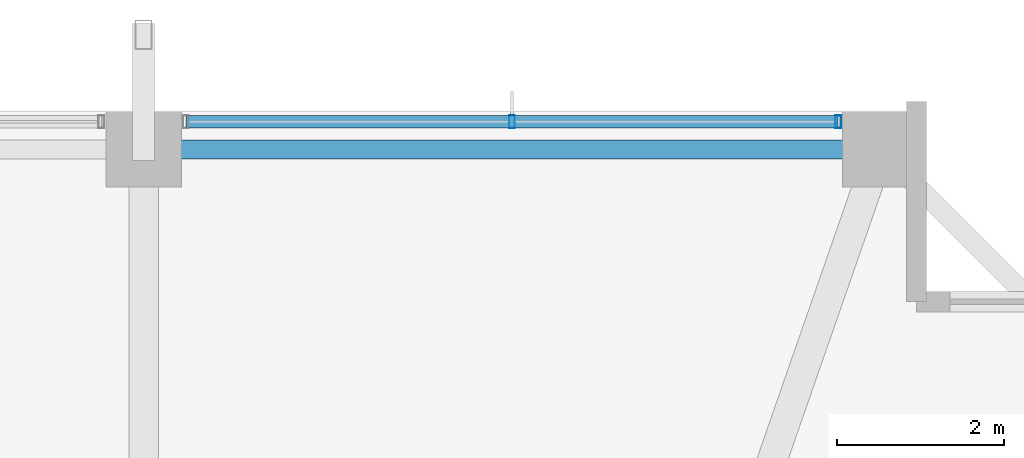
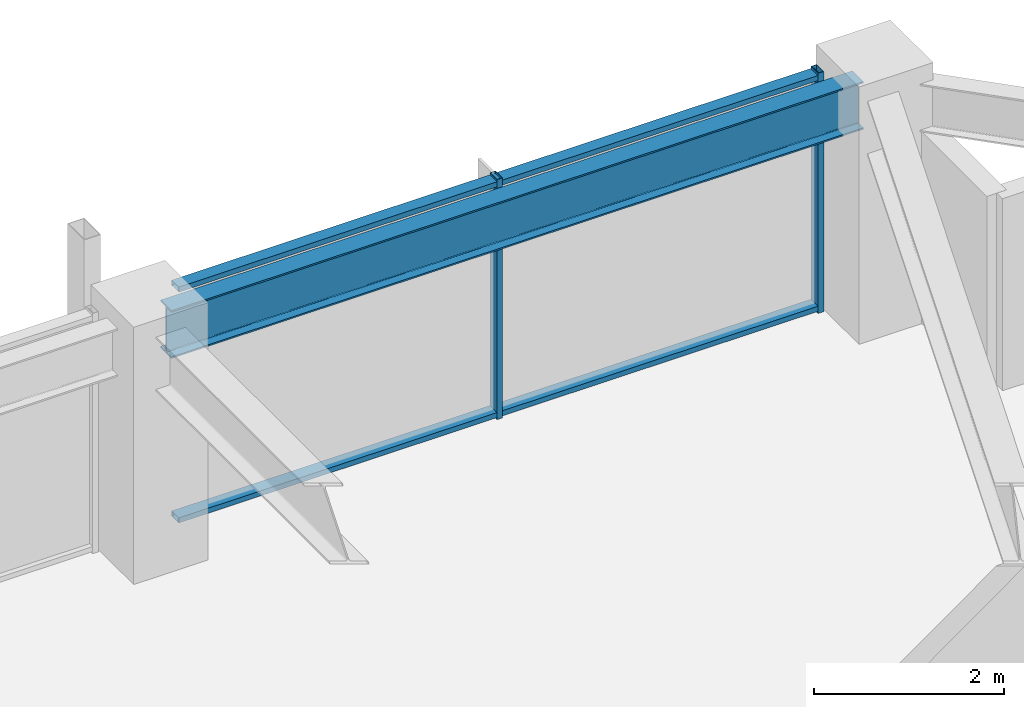
# One storey, part 21 of 35: 4 members, 1 beam, 1 element without a shape of its own.
"""IFC4 building model written with IfcOpenShell, lengths in metres."""

from ifc_helpers import new_model, si_unit, direction, frame, origin, origin_2d, place, context, subcontext, project, spatial, hollow_rectangle, i_section, extrude, material, material_profile, profile_set, type_object, element, aggregate, save


model = new_model("IFC4")

# Units and contexts
model_context = context("Model", 3, precision=1e-05, world=origin(), true_north=direction((0.0, 1.0)))
body_context = subcontext(model_context, "Body", "Model", "MODEL_VIEW")
ifc_project = project(units=[si_unit("LENGTHUNIT", "METRE"), si_unit("AREAUNIT", "SQUARE_METRE"), si_unit("VOLUMEUNIT", "CUBIC_METRE"), si_unit("PLANEANGLEUNIT", "RADIAN"), si_unit("MASSUNIT", "GRAM", prefix="KILO")], contexts=[model_context])

# Site, building, storey
site_placement = place(None, origin())
site = spatial("IfcSite", under=ifc_project, at=site_placement, CompositionType="ELEMENT")
building_placement = place(site_placement, origin())
building = spatial("IfcBuilding", under=site, at=building_placement, Name="Kolvaren Belvedere", CompositionType="ELEMENT")
storey_placement = place(building_placement, frame((0.0, 0.0, 183.300048828125)))
storey = spatial("IfcBuildingStorey", under=building, at=storey_placement, Name="L53", CompositionType="ELEMENT", Elevation=183.300048828125)

# Beam
ifc_material_1 = material(Name="Structural steel ASTM A992 Grade 50", Category="steel")
ifc_material_profile_1 = material_profile(ifc_material_1, i_section(OverallWidth=0.22900390625, OverallDepth=0.612060546875, WebThickness=0.011962890625, FlangeThickness=0.01953125, FilletRadius=0.01806640625, at=origin_2d()), Name="W24X84")
ifc_profile_set_1 = profile_set([ifc_material_profile_1], Name="Structural steel ASTM A992 Grade 50")
beam_type = type_object("IfcBeamType", Name="BM-SPAN-W24X84", PredefinedType="SPANDREL", material=ifc_profile_set_1)
beam_placement = place(storey_placement, frame((13.197509765625, 19.949951171875, 2.77392578125), z_axis=(-1.0, 0.0, 0.0), x_axis=(0.0, -1.0, 0.0)))
element("IfcBeam", 1, at=beam_placement, inside=storey, type_object=beam_type, Name="L53 Perimeter Spandrel N4-N3", PredefinedType="SPANDREL", context=body_context, shape_type="SweptSolid", body=[
    extrude(i_section(OverallWidth=0.22900390625, OverallDepth=0.612060546875, WebThickness=0.011962890625, FlangeThickness=0.01953125, FilletRadius=0.01806640625, at=origin_2d()), origin(), (0.0, 0.0, 1.0), 8.39501953125),
])

# Curtain wall, members
ifc_material_2 = material(Name="Anodised pale-metal aluminium AA 6063-T6", Category="aluminium")
curtain_wall_type = type_object("IfcCurtainWallType", Name="CW-Z5-HIGH", PredefinedType="NOTDEFINED", material=ifc_material_2)
curtain_wall_placement = place(storey_placement, origin())
curtain_wall = element("IfcCurtainWall", 2, at=curtain_wall_placement, inside=storey, type_object=curtain_wall_type, Name="L53 Unitised Curtain Wall FCW-L53-N-B3", PredefinedType="NOTDEFINED")
ifc_material_3 = material(Name="Anodised pale-metal aluminium AA 6063-T6", Category="aluminium")
ifc_material_profile_2 = material_profile(ifc_material_3, hollow_rectangle(XDim=0.070068359375, YDim=0.14990234375, WallThickness=0.004150390625, at=origin_2d()), Name="ALU-MUL-150X70")
ifc_profile_set_2 = profile_set([ifc_material_profile_2], Name="Anodised pale-metal aluminium AA 6063-T6")
member_type_1 = type_object("IfcMemberType", Name="CW-MUL-150", PredefinedType="MULLION", material=ifc_profile_set_2)
member_1_placement = place(storey_placement, frame((9.0, 20.280029296875, 0.0), z_axis=(0.0, 0.0, 1.0), x_axis=(1.0, 0.0, 0.0)))
member_1 = element("IfcMember", 3, at=member_1_placement, type_object=member_type_1, Name="FCW-L53-N-B3 Unitised Mullion 2", PredefinedType="MULLION", context=body_context, shape_type="SweptSolid", body=[
    extrude(hollow_rectangle(XDim=0.070068359375, YDim=0.14990234375, WallThickness=0.004150390625, at=origin_2d()), origin(), (0.0, 0.0, 1.0), 3.079833984375),
])
member_2_placement = place(storey_placement, frame((12.89501953125, 20.280029296875, 0.0), z_axis=(0.0, 0.0, 1.0), x_axis=(1.0, 0.0, 0.0)))
member_2 = element("IfcMember", 4, at=member_2_placement, type_object=member_type_1, Name="FCW-L53-N-B3 Unitised Mullion 3", PredefinedType="MULLION", context=body_context, shape_type="SweptSolid", body=[
    extrude(hollow_rectangle(XDim=0.070068359375, YDim=0.14990234375, WallThickness=0.004150390625, at=origin_2d()), origin(), (0.0, 0.0, 1.0), 3.079833984375),
])
ifc_material_4 = material(Name="Anodised pale-metal aluminium AA 6063-T6", Category="aluminium")
ifc_material_profile_3 = material_profile(ifc_material_4, hollow_rectangle(XDim=0.06494140625, YDim=0.14990234375, WallThickness=0.00390625, at=origin_2d()), Name="ALU-TRN-150X65")
ifc_profile_set_3 = profile_set([ifc_material_profile_3], Name="Anodised pale-metal aluminium AA 6063-T6")
member_type_2 = type_object("IfcMemberType", Name="CW-TRN-150", PredefinedType="USERDEFINED", material=ifc_profile_set_3)
member_3_placement = place(storey_placement, frame((5.10498046875, 20.280029296875, 0.06005859375), z_axis=(1.0, 0.0, 0.0), x_axis=(0.0, 0.0, 1.0)))
member_3 = element("IfcMember", 5, at=member_3_placement, type_object=member_type_2, Name="FCW-L53-N-B3 Sill Transom", ObjectType="TRANSOM", PredefinedType="USERDEFINED", context=body_context, shape_type="SweptSolid", body=[
    extrude(hollow_rectangle(XDim=0.06494140625, YDim=0.14990234375, WallThickness=0.00390625, at=origin_2d()), origin(), (0.0, 0.0, 1.0), 7.7900390625),
])
member_4_placement = place(storey_placement, frame((5.10498046875, 20.280029296875, 3.02001953125), z_axis=(1.0, 0.0, 0.0), x_axis=(0.0, 0.0, 1.0)))
member_4 = element("IfcMember", 6, at=member_4_placement, type_object=member_type_2, Name="FCW-L53-N-B3 Head Transom", ObjectType="TRANSOM", PredefinedType="USERDEFINED", context=body_context, shape_type="SweptSolid", body=[
    extrude(hollow_rectangle(XDim=0.06494140625, YDim=0.14990234375, WallThickness=0.00390625, at=origin_2d()), origin(), (0.0, 0.0, 1.0), 7.7900390625),
])
aggregate(curtain_wall, [member_1, member_2, member_3, member_4])

save(model, "model.ifc")
